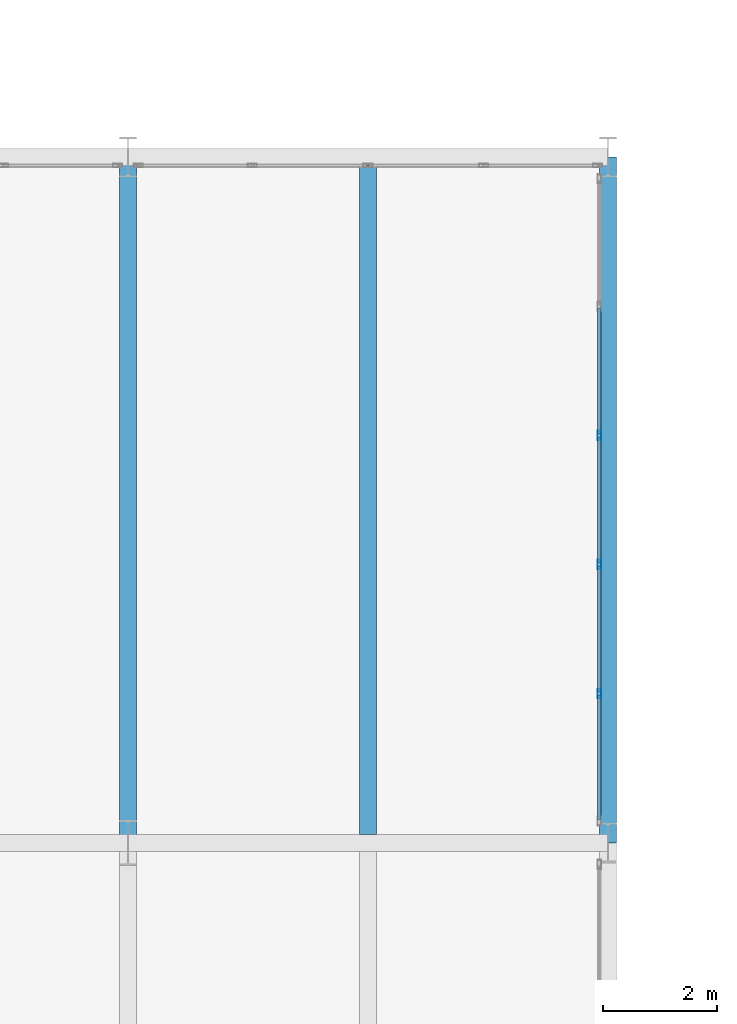
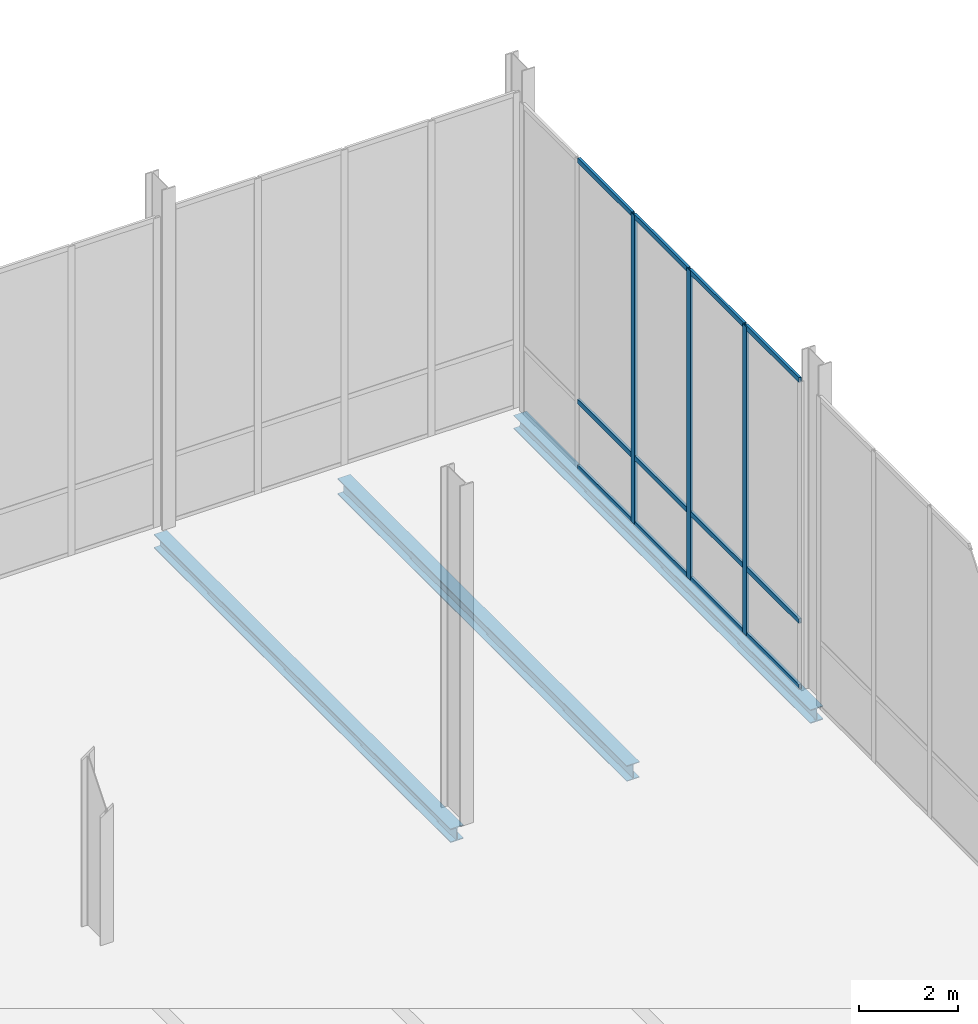
# One storey, part 73 of 131: 15 members, 3 beams, 1 element without a shape of its own.
"""IFC4 building model written with IfcOpenShell, lengths in metres."""

from ifc_helpers import new_model, si_unit, direction, frame, origin, origin_2d, place, context, subcontext, project, spatial, hollow_rectangle, i_section, extrude, material, material_profile, profile_set, type_object, element, aggregate, save


model = new_model("IFC4")

# Units and contexts
model_context = context("Model", 3, precision=1e-05, world=origin(), true_north=direction((0.0, 1.0)))
body_context = subcontext(model_context, "Body", "Model", "MODEL_VIEW")
ifc_project = project(units=[si_unit("LENGTHUNIT", "METRE"), si_unit("AREAUNIT", "SQUARE_METRE"), si_unit("VOLUMEUNIT", "CUBIC_METRE"), si_unit("PLANEANGLEUNIT", "RADIAN"), si_unit("MASSUNIT", "GRAM", prefix="KILO")], contexts=[model_context])

# Site, building, storey
site_placement = place(None, origin())
site = spatial("IfcSite", under=ifc_project, at=site_placement, CompositionType="ELEMENT")
building_placement = place(site_placement, origin())
building = spatial("IfcBuilding", under=site, at=building_placement, Name="Veltarok Museum of Natural Sciences", CompositionType="ELEMENT")
storey_placement = place(building_placement, origin())
storey = spatial("IfcBuildingStorey", under=building, at=storey_placement, Name="L00", CompositionType="ELEMENT", Elevation=0.0)

# Curtain wall, members
ifc_material_1 = material(Name="Low-iron triple insulated glass", Category="glass")
curtain_wall_type = type_object("IfcCurtainWallType", Name="Curtain Wall System CW-V2E-L00-3-1130x763 (CW-V2E L00 1130x763cm)", PredefinedType="NOTDEFINED", material=ifc_material_1)
curtain_wall_placement = place(storey_placement, origin())
curtain_wall = element("IfcCurtainWall", 1, at=curtain_wall_placement, inside=storey, type_object=curtain_wall_type, Name="Curtain Wall CW-V2E-L00-3-1130x763 CW-0127", PredefinedType="NOTDEFINED")
ifc_material_2 = material(Name="Thermally broken anodised aluminium", Category="aluminium")
ifc_material_profile_1 = material_profile(ifc_material_2, hollow_rectangle(XDim=0.06005859375, YDim=0.1201171875, WallThickness=0.0048828125, at=origin_2d()), Name="CW TRANSOM 60x120x5")
ifc_profile_set_1 = profile_set([ifc_material_profile_1], Name="Thermally broken anodised aluminium")
member_type_1 = type_object("IfcMemberType", Name="Curtain Wall Horizontal Transom 60x120x5", PredefinedType="USERDEFINED", material=ifc_profile_set_1)
member_1_placement = place(storey_placement, frame((98.64990234375, 60.409912109375, 0.028076171875), z_axis=(0.0, 1.0, 0.0), x_axis=(-1.0, 0.0, 0.0)))
member_1 = element("IfcMember", 2, at=member_1_placement, type_object=member_type_1, Name="CW-V2E-L00-3-1130x763 transom 1.1", ObjectType="TRANSOM", PredefinedType="USERDEFINED", context=body_context, shape_type="SweptSolid", body=[
    extrude(hollow_rectangle(XDim=0.06005859375, YDim=0.1201171875, WallThickness=0.0048828125, at=origin_2d()), origin(), (0.0, 0.0, 1.0), 2.170166015625),
])
member_2_placement = place(storey_placement, frame((98.64990234375, 60.409912109375, 1.64794921875), z_axis=(0.0, 1.0, 0.0), x_axis=(-1.0, 0.0, 0.0)))
member_2 = element("IfcMember", 3, at=member_2_placement, type_object=member_type_1, Name="CW-V2E-L00-3-1130x763 transom 1.2", ObjectType="TRANSOM", PredefinedType="USERDEFINED", context=body_context, shape_type="SweptSolid", body=[
    extrude(hollow_rectangle(XDim=0.06005859375, YDim=0.1201171875, WallThickness=0.0048828125, at=origin_2d()), origin(), (0.0, 0.0, 1.0), 2.170166015625),
])
member_3_placement = place(storey_placement, frame((98.64990234375, 60.409912109375, 7.60009765625), z_axis=(0.0, 1.0, 0.0), x_axis=(-1.0, 0.0, 0.0)))
member_3 = element("IfcMember", 4, at=member_3_placement, type_object=member_type_1, Name="CW-V2E-L00-3-1130x763 transom 1.3", ObjectType="TRANSOM", PredefinedType="USERDEFINED", context=body_context, shape_type="SweptSolid", body=[
    extrude(hollow_rectangle(XDim=0.06005859375, YDim=0.1201171875, WallThickness=0.0048828125, at=origin_2d()), origin(), (0.0, 0.0, 1.0), 2.170166015625),
])
member_4_placement = place(storey_placement, frame((98.64990234375, 62.639892578125, 0.028076171875), z_axis=(0.0, 1.0, 0.0), x_axis=(-1.0, 0.0, 0.0)))
member_4 = element("IfcMember", 5, at=member_4_placement, type_object=member_type_1, Name="CW-V2E-L00-3-1130x763 transom 2.1", ObjectType="TRANSOM", PredefinedType="USERDEFINED", context=body_context, shape_type="SweptSolid", body=[
    extrude(hollow_rectangle(XDim=0.06005859375, YDim=0.1201171875, WallThickness=0.0048828125, at=origin_2d()), origin(), (0.0, 0.0, 1.0), 2.2001953125),
])
member_5_placement = place(storey_placement, frame((98.64990234375, 62.639892578125, 1.64794921875), z_axis=(0.0, 1.0, 0.0), x_axis=(-1.0, 0.0, 0.0)))
member_5 = element("IfcMember", 6, at=member_5_placement, type_object=member_type_1, Name="CW-V2E-L00-3-1130x763 transom 2.2", ObjectType="TRANSOM", PredefinedType="USERDEFINED", context=body_context, shape_type="SweptSolid", body=[
    extrude(hollow_rectangle(XDim=0.06005859375, YDim=0.1201171875, WallThickness=0.0048828125, at=origin_2d()), origin(), (0.0, 0.0, 1.0), 2.2001953125),
])
member_6_placement = place(storey_placement, frame((98.64990234375, 62.639892578125, 7.60009765625), z_axis=(0.0, 1.0, 0.0), x_axis=(-1.0, 0.0, 0.0)))
member_6 = element("IfcMember", 7, at=member_6_placement, type_object=member_type_1, Name="CW-V2E-L00-3-1130x763 transom 2.3", ObjectType="TRANSOM", PredefinedType="USERDEFINED", context=body_context, shape_type="SweptSolid", body=[
    extrude(hollow_rectangle(XDim=0.06005859375, YDim=0.1201171875, WallThickness=0.0048828125, at=origin_2d()), origin(), (0.0, 0.0, 1.0), 2.2001953125),
])
member_7_placement = place(storey_placement, frame((98.64990234375, 64.89990234375, 0.028076171875), z_axis=(0.0, 1.0, 0.0), x_axis=(-1.0, 0.0, 0.0)))
member_7 = element("IfcMember", 8, at=member_7_placement, type_object=member_type_1, Name="CW-V2E-L00-3-1130x763 transom 3.1", ObjectType="TRANSOM", PredefinedType="USERDEFINED", context=body_context, shape_type="SweptSolid", body=[
    extrude(hollow_rectangle(XDim=0.06005859375, YDim=0.1201171875, WallThickness=0.0048828125, at=origin_2d()), origin(), (0.0, 0.0, 1.0), 2.2001953125),
])
member_8_placement = place(storey_placement, frame((98.64990234375, 64.89990234375, 1.64794921875), z_axis=(0.0, 1.0, 0.0), x_axis=(-1.0, 0.0, 0.0)))
member_8 = element("IfcMember", 9, at=member_8_placement, type_object=member_type_1, Name="CW-V2E-L00-3-1130x763 transom 3.2", ObjectType="TRANSOM", PredefinedType="USERDEFINED", context=body_context, shape_type="SweptSolid", body=[
    extrude(hollow_rectangle(XDim=0.06005859375, YDim=0.1201171875, WallThickness=0.0048828125, at=origin_2d()), origin(), (0.0, 0.0, 1.0), 2.2001953125),
])
member_9_placement = place(storey_placement, frame((98.64990234375, 64.89990234375, 7.60009765625), z_axis=(0.0, 1.0, 0.0), x_axis=(-1.0, 0.0, 0.0)))
member_9 = element("IfcMember", 10, at=member_9_placement, type_object=member_type_1, Name="CW-V2E-L00-3-1130x763 transom 3.3", ObjectType="TRANSOM", PredefinedType="USERDEFINED", context=body_context, shape_type="SweptSolid", body=[
    extrude(hollow_rectangle(XDim=0.06005859375, YDim=0.1201171875, WallThickness=0.0048828125, at=origin_2d()), origin(), (0.0, 0.0, 1.0), 2.2001953125),
])
member_10_placement = place(storey_placement, frame((98.64990234375, 67.159912109375, 0.028076171875), z_axis=(0.0, 1.0, 0.0), x_axis=(-1.0, 0.0, 0.0)))
member_10 = element("IfcMember", 11, at=member_10_placement, type_object=member_type_1, Name="CW-V2E-L00-3-1130x763 transom 4.1", ObjectType="TRANSOM", PredefinedType="USERDEFINED", context=body_context, shape_type="SweptSolid", body=[
    extrude(hollow_rectangle(XDim=0.06005859375, YDim=0.1201171875, WallThickness=0.0048828125, at=origin_2d()), origin(), (0.0, 0.0, 1.0), 2.2001953125),
])
member_11_placement = place(storey_placement, frame((98.64990234375, 67.159912109375, 1.64794921875), z_axis=(0.0, 1.0, 0.0), x_axis=(-1.0, 0.0, 0.0)))
member_11 = element("IfcMember", 12, at=member_11_placement, type_object=member_type_1, Name="CW-V2E-L00-3-1130x763 transom 4.2", ObjectType="TRANSOM", PredefinedType="USERDEFINED", context=body_context, shape_type="SweptSolid", body=[
    extrude(hollow_rectangle(XDim=0.06005859375, YDim=0.1201171875, WallThickness=0.0048828125, at=origin_2d()), origin(), (0.0, 0.0, 1.0), 2.2001953125),
])
member_12_placement = place(storey_placement, frame((98.64990234375, 67.159912109375, 7.60009765625), z_axis=(0.0, 1.0, 0.0), x_axis=(-1.0, 0.0, 0.0)))
member_12 = element("IfcMember", 13, at=member_12_placement, type_object=member_type_1, Name="CW-V2E-L00-3-1130x763 transom 4.3", ObjectType="TRANSOM", PredefinedType="USERDEFINED", context=body_context, shape_type="SweptSolid", body=[
    extrude(hollow_rectangle(XDim=0.06005859375, YDim=0.1201171875, WallThickness=0.0048828125, at=origin_2d()), origin(), (0.0, 0.0, 1.0), 2.2001953125),
])
ifc_material_profile_2 = material_profile(ifc_material_2, hollow_rectangle(XDim=0.06005859375, YDim=0.159912109375, WallThickness=0.0048828125, at=origin_2d()), Name="CW MULLION 60x160x5")
ifc_profile_set_2 = profile_set([ifc_material_profile_2], Name="Thermally broken anodised aluminium")
member_type_2 = type_object("IfcMemberType", Name="Curtain Wall Vertical Mullion 60x160x5", PredefinedType="MULLION", material=ifc_profile_set_2)
member_13_placement = place(storey_placement, frame((98.64990234375, 62.610107421875, -0.001953125), z_axis=(0.0, 0.0, 1.0), x_axis=(-1.0, 0.0, 0.0)))
member_13 = element("IfcMember", 14, at=member_13_placement, type_object=member_type_2, Name="CW-V2E-L00-3-1130x763 mullion 2", PredefinedType="MULLION", context=body_context, shape_type="SweptSolid", body=[
    extrude(hollow_rectangle(XDim=0.06005859375, YDim=0.159912109375, WallThickness=0.0048828125, at=origin_2d()), origin(), (0.0, 0.0, 1.0), 7.6318359375),
])
member_14_placement = place(storey_placement, frame((98.64990234375, 64.8701171875, -0.001953125), z_axis=(0.0, 0.0, 1.0), x_axis=(-1.0, 0.0, 0.0)))
member_14 = element("IfcMember", 15, at=member_14_placement, type_object=member_type_2, Name="CW-V2E-L00-3-1130x763 mullion 3", PredefinedType="MULLION", context=body_context, shape_type="SweptSolid", body=[
    extrude(hollow_rectangle(XDim=0.06005859375, YDim=0.159912109375, WallThickness=0.0048828125, at=origin_2d()), origin(), (0.0, 0.0, 1.0), 7.6318359375),
])
member_15_placement = place(storey_placement, frame((98.64990234375, 67.1298828125, -0.001953125), z_axis=(0.0, 0.0, 1.0), x_axis=(-1.0, 0.0, 0.0)))
member_15 = element("IfcMember", 16, at=member_15_placement, type_object=member_type_2, Name="CW-V2E-L00-3-1130x763 mullion 4", PredefinedType="MULLION", context=body_context, shape_type="SweptSolid", body=[
    extrude(hollow_rectangle(XDim=0.06005859375, YDim=0.159912109375, WallThickness=0.0048828125, at=origin_2d()), origin(), (0.0, 0.0, 1.0), 7.6318359375),
])
aggregate(curtain_wall, [member_13, member_14, member_15, member_1, member_2, member_3, member_4, member_5, member_6, member_7, member_8, member_9, member_10, member_11, member_12])

# Beams
ifc_material_3 = material(Name="Steel S355J2", Category="steel")
ifc_material_profile_3 = material_profile(ifc_material_3, i_section(OverallWidth=0.300048828125, OverallDepth=0.389892578125, WebThickness=0.010986328125, FlangeThickness=0.01904296875, FilletRadius=0.027099609375, at=origin_2d()), Name="HEA 400")
ifc_profile_set_3 = profile_set([ifc_material_profile_3], Name="Steel S355J2")
beam_type_1 = type_object("IfcBeamType", Name="Heavy Archive Joist HEA 400", PredefinedType="JOIST", material=ifc_profile_set_3)
beam_placement = place(storey_placement, frame((94.60009765625, 60.14794921875, -0.4951171875), z_axis=(0.0, 1.0, 0.0), x_axis=(-1.0, 0.0, 0.0)))
element("IfcBeam", 17, at=beam_placement, inside=storey, type_object=beam_type_1, Name="Secondary Joist BM-J06 L00 11-12/G-H.1", PredefinedType="JOIST", context=body_context, shape_type="SweptSolid", body=[
    extrude(i_section(OverallWidth=0.300048828125, OverallDepth=0.389892578125, WebThickness=0.010986328125, FlangeThickness=0.01904296875, FilletRadius=0.027099609375, at=origin_2d()), origin(), (0.0, 0.0, 1.0), 11.7041015625),
])
ifc_material_profile_4 = material_profile(ifc_material_3, i_section(OverallWidth=0.300048828125, OverallDepth=0.340087890625, WebThickness=0.011962890625, FlangeThickness=0.021484375, FilletRadius=0.027099609375, at=origin_2d()), Name="HEB 340")
ifc_profile_set_4 = profile_set([ifc_material_profile_4], Name="Steel S355J2")
beam_type_2 = type_object("IfcBeamType", Name="Perimeter Bridge Spandrel HEB 340", PredefinedType="SPANDREL", material=ifc_profile_set_4)
for number, where, z_axis, x_axis, name in (
    (18, (90.39990234375, 60.0, -0.469970703125), (0.0, 1.0, 0.0), (-1.0, 0.0, 0.0), "Beam BM-SP07 L00 11/G-H"),
    (19, (98.800048828125, 60.0, -0.469970703125), (0.0, 1.0, 0.0), (-1.0, 0.0, 0.0), "Beam BM-SP07 L00 12/G-H"),
):
    element("IfcBeam", number, at=place(storey_placement, frame(where, z_axis=z_axis, x_axis=x_axis)), inside=storey, type_object=beam_type_2, Name=name, PredefinedType="SPANDREL", context=body_context, shape_type="SweptSolid", body=[
        extrude(i_section(OverallWidth=0.300048828125, OverallDepth=0.340087890625, WebThickness=0.011962890625, FlangeThickness=0.021484375, FilletRadius=0.027099609375, at=origin_2d()), origin(), (0.0, 0.0, 1.0), 12.0),
    ])

save(model, "model.ifc")
